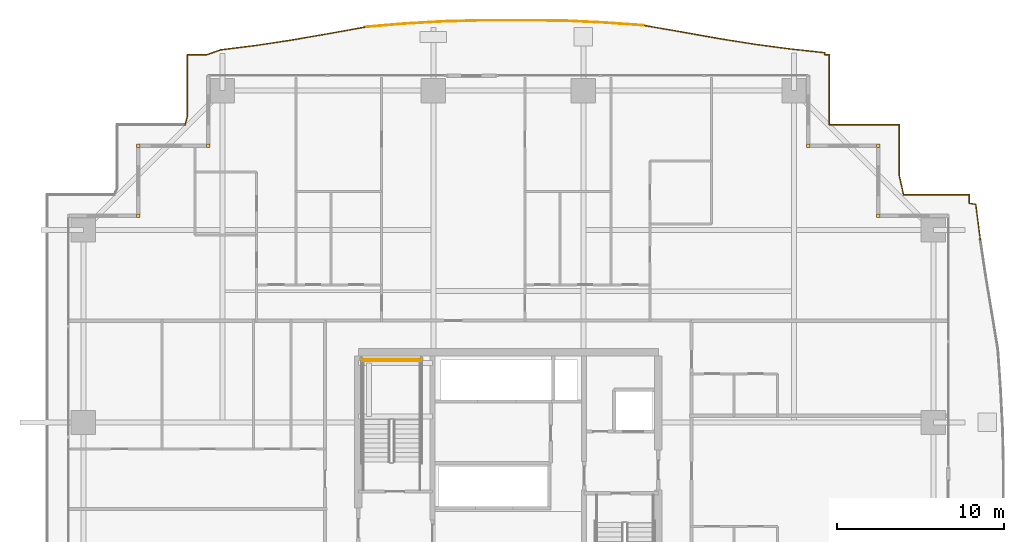
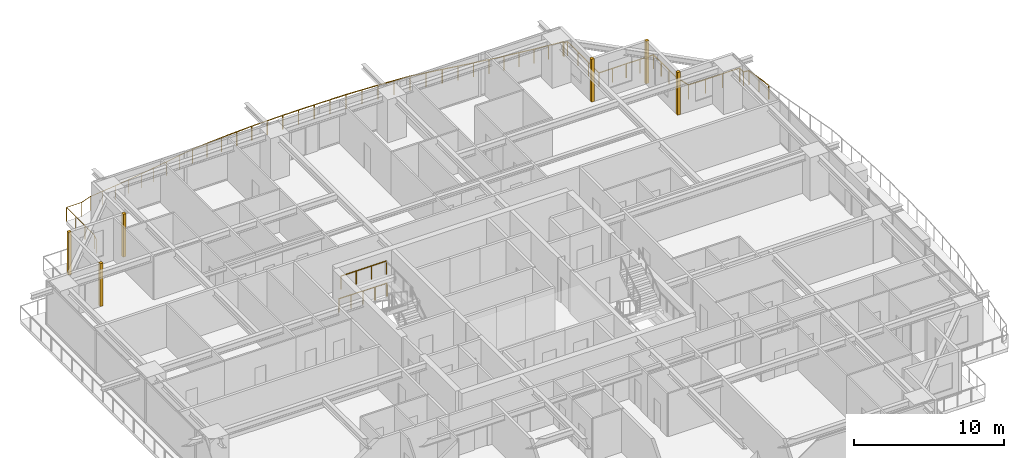
# One storey, part 38 of 38: 6 coverings, 6 railings.
"""IFC4 building model written with IfcOpenShell, lengths in metres."""

from ifc_helpers import new_model, si_unit, direction, frame, origin, origin_2d, place, context, subcontext, project, spatial, rectangle, circle, extrude, source, transform, mapped, material, layer, layer_set, type_object, element, save


model = new_model("IFC4")

# Units and contexts
model_context = context("Model", 3, precision=1e-05, world=origin(), true_north=direction((0.0, 1.0)))
body_context = subcontext(model_context, "Body", "Model", "MODEL_VIEW")
ifc_project = project(units=[si_unit("LENGTHUNIT", "METRE"), si_unit("AREAUNIT", "SQUARE_METRE"), si_unit("VOLUMEUNIT", "CUBIC_METRE"), si_unit("PLANEANGLEUNIT", "RADIAN"), si_unit("MASSUNIT", "GRAM", prefix="KILO")], contexts=[model_context])

# Site, building, storey
site_placement = place(None, origin())
site = spatial("IfcSite", under=ifc_project, at=site_placement, CompositionType="ELEMENT")
building_placement = place(site_placement, origin())
building = spatial("IfcBuilding", under=site, at=building_placement, Name="Serunith Strait Residences", CompositionType="ELEMENT")
storey_placement = place(building_placement, frame((0.0, 0.0, 67.949951171875)))
storey = spatial("IfcBuildingStorey", under=building, at=storey_placement, Name="L16", CompositionType="ELEMENT", Elevation=67.949951171875)

# Railings
ifc_material_1 = material(Name="Stainless Steel & Laminated Glass Balustrade", Category="steel")
railing_type_1 = type_object("IfcRailingType", Name="RLG-BALC-1150", PredefinedType="BALUSTRADE", material=ifc_material_1)
railing_1_placement = place(storey_placement, frame((13.003173828125, 47.260009765625, -0.050048828125)))
element("IfcRailing", 1, at=railing_1_placement, inside=storey, type_object=railing_type_1, Name="L16 Swirling Balcony Perimeter Balustrade 1", PredefinedType="BALUSTRADE", context=body_context, shape_type="SweptSolid", body=[
    extrude(circle(Radius=0.02392578125, at=origin_2d()), frame((0.00048828125, 0.001953125, 1.1259765625), z_axis=(0.257205232422, 0.966356801815, 0.0), x_axis=(-0.966356801815, 0.257205232422, 0.0)), (0.0, 0.0, 1.0), 0.527587890625),
    extrude(circle(Radius=0.02392578125, at=origin_2d()), frame((0.13671875, 0.515625, 1.1259765625), z_axis=(0.0, 1.0, 0.0), x_axis=(-1.0, 0.0, 0.0)), (0.0, 0.0, 1.0), 3.682373046875),
    extrude(circle(Radius=0.02392578125, at=origin_2d()), frame((0.138671875, 4.199951171875, 1.1259765625), z_axis=(1.0, 0.0, 0.0), x_axis=(0.0, 1.0, 0.0)), (0.0, 0.0, 1.0), 1.163818359375),
    extrude(circle(Radius=0.02392578125, at=origin_2d()), frame((1.306396484375, 4.20068359375, 1.1259765625), z_axis=(0.941856558235, 0.336015213509, 0.0), x_axis=(-0.336015213509, 0.941856558235, 0.0)), (0.0, 0.0, 1.0), 0.86279296875),
    extrude(circle(Radius=0.02392578125, at=origin_2d()), frame((2.122802734375, 4.491455078125, 1.1259765625), z_axis=(0.992212813988, 0.12455413184, 0.0), x_axis=(-0.12455413184, 0.992212813988, 0.0)), (0.0, 0.0, 1.0), 2.136474609375),
    extrude(circle(Radius=0.02392578125, at=origin_2d()), frame((4.24658203125, 4.758056640625, 1.1259765625), z_axis=(0.98866688906, 0.150125888763, 0.0), x_axis=(-0.150125888763, 0.98866688906, 0.0)), (0.0, 0.0, 1.0), 2.162109375),
    extrude(circle(Radius=0.02392578125, at=origin_2d()), frame((6.38818359375, 5.083251953125, 1.1259765625), z_axis=(0.985437141694, 0.17004011224, 0.0), x_axis=(-0.17004011224, 0.985437141694, 0.0)), (0.0, 0.0, 1.0), 2.20556640625),
    extrude(circle(Radius=0.02392578125, at=origin_2d()), frame((8.565673828125, 5.458984375, 1.1259765625), z_axis=(0.9841168506, 0.177521898271, 0.0), x_axis=(-0.177521898271, 0.9841168506, 0.0)), (0.0, 0.0, 1.0), 2.26513671875),
    extrude(circle(Radius=0.02099609375, at=origin_2d()), origin(), (0.0, 0.0, 1.0), 1.099853515625),
    extrude(circle(Radius=0.02099609375, at=origin_2d()), frame((0.13671875, 0.513671875, 0.0)), (0.0, 0.0, 1.0), 1.099853515625),
    extrude(circle(Radius=0.02099609375, at=origin_2d()), frame((0.13671875, 1.742431640625, 0.0)), (0.0, 0.0, 1.0), 1.099853515625),
    extrude(circle(Radius=0.02099609375, at=origin_2d()), frame((0.13671875, 2.97119140625, 0.0)), (0.0, 0.0, 1.0), 1.099853515625),
    extrude(circle(Radius=0.02099609375, at=origin_2d()), frame((0.13671875, 4.199951171875, 0.0)), (0.0, 0.0, 1.0), 1.099853515625),
    extrude(circle(Radius=0.02099609375, at=origin_2d()), frame((1.304443359375, 4.199951171875, 0.0)), (0.0, 0.0, 1.0), 1.099853515625),
    extrude(circle(Radius=0.02099609375, at=origin_2d()), frame((2.120849609375, 4.4912109375, 0.0)), (0.0, 0.0, 1.0), 1.099853515625),
    extrude(circle(Radius=0.02099609375, at=origin_2d()), frame((3.1826171875, 4.62451171875, 0.0)), (0.0, 0.0, 1.0), 1.099853515625),
    extrude(circle(Radius=0.02099609375, at=origin_2d()), frame((4.24462890625, 4.7578125, 0.0)), (0.0, 0.0, 1.0), 1.099853515625),
    extrude(circle(Radius=0.02099609375, at=origin_2d()), frame((5.3154296875, 4.92041015625, 0.0)), (0.0, 0.0, 1.0), 1.099853515625),
    extrude(circle(Radius=0.02099609375, at=origin_2d()), frame((6.38623046875, 5.0830078125, 0.0)), (0.0, 0.0, 1.0), 1.099853515625),
    extrude(circle(Radius=0.02099609375, at=origin_2d()), frame((7.47509765625, 5.27099609375, 0.0)), (0.0, 0.0, 1.0), 1.099853515625),
    extrude(circle(Radius=0.02099609375, at=origin_2d()), frame((8.563720703125, 5.458740234375, 0.0)), (0.0, 0.0, 1.0), 1.099853515625),
    extrude(circle(Radius=0.02099609375, at=origin_2d()), frame((9.68017578125, 5.66015625, 0.0)), (0.0, 0.0, 1.0), 1.099853515625),
    extrude(circle(Radius=0.02099609375, at=origin_2d()), frame((10.796875, 5.861572265625, 0.0)), (0.0, 0.0, 1.0), 1.099853515625),
])
railing_2_placement = place(storey_placement, frame((23.800048828125, 53.12158203125, -0.050048828125)))
element("IfcRailing", 2, at=railing_2_placement, inside=storey, type_object=railing_type_1, Name="L16 Swirling Balcony Perimeter Balustrade 2", PredefinedType="BALUSTRADE", context=body_context, shape_type="SweptSolid", body=[
    extrude(circle(Radius=0.02392578125, at=origin_2d()), frame((0.001953125, 0.000244140625, 1.1259765625), z_axis=(0.996365519216, 0.085180702735, 0.0), x_axis=(-0.085180702735, 0.996365519216, 0.0)), (0.0, 0.0, 1.0), 2.35205078125),
    extrude(circle(Radius=0.02392578125, at=origin_2d()), frame((2.349365234375, 0.20068359375, 1.1259765625), z_axis=(0.99840336502, 0.056486464892, 0.0), x_axis=(-0.056486464892, 0.99840336502, 0.0)), (0.0, 0.0, 1.0), 2.390380859375),
    extrude(circle(Radius=0.02392578125, at=origin_2d()), frame((4.739990234375, 0.3359375, 1.1259765625), z_axis=(0.999665766859, 0.025852554431, 0.0), x_axis=(-0.025852554431, 0.999665766859, 0.0)), (0.0, 0.0, 1.0), 2.41357421875),
    extrude(circle(Radius=0.02392578125, at=origin_2d()), frame((7.15673828125, 0.3984375, 1.1259765625), z_axis=(1.0, 0.0, 0.0), x_axis=(0.0, 1.0, 0.0)), (0.0, 0.0, 1.0), 2.424072265625),
    extrude(circle(Radius=0.02392578125, at=origin_2d()), frame((9.584716796875, 0.3984375, 1.1259765625), z_axis=(0.999956075296, -0.009372698549, 0.0), x_axis=(0.009372698549, 0.999956075296, 0.0)), (0.0, 0.0, 1.0), 2.41845703125),
    extrude(circle(Radius=0.02392578125, at=origin_2d()), frame((12.007080078125, 0.375732421875, 1.1259765625), z_axis=(0.998849675448, -0.047951286291, 0.0), x_axis=(0.047951286291, 0.998849675448, 0.0)), (0.0, 0.0, 1.0), 2.399169921875),
    extrude(circle(Radius=0.02392578125, at=origin_2d()), frame((14.407470703125, 0.26025390625, 1.1259765625), z_axis=(0.997583569256, -0.069476775614, 0.0), x_axis=(0.069476775614, 0.997583569256, 0.0)), (0.0, 0.0, 1.0), 2.367919921875),
    extrude(circle(Radius=0.02099609375, at=origin_2d()), origin(), (0.0, 0.0, 1.0), 1.099853515625),
    extrude(circle(Radius=0.02099609375, at=origin_2d()), frame((1.173828125, 0.100341796875, 0.0)), (0.0, 0.0, 1.0), 1.099853515625),
    extrude(circle(Radius=0.02099609375, at=origin_2d()), frame((2.347412109375, 0.20068359375, 0.0)), (0.0, 0.0, 1.0), 1.099853515625),
    extrude(circle(Radius=0.02099609375, at=origin_2d()), frame((3.542724609375, 0.268310546875, 0.0)), (0.0, 0.0, 1.0), 1.099853515625),
    extrude(circle(Radius=0.02099609375, at=origin_2d()), frame((4.738037109375, 0.3359375, 0.0)), (0.0, 0.0, 1.0), 1.099853515625),
    extrude(circle(Radius=0.02099609375, at=origin_2d()), frame((5.9462890625, 0.3671875, 0.0)), (0.0, 0.0, 1.0), 1.099853515625),
    extrude(circle(Radius=0.02099609375, at=origin_2d()), frame((7.15478515625, 0.3984375, 0.0)), (0.0, 0.0, 1.0), 1.099853515625),
    extrude(circle(Radius=0.02099609375, at=origin_2d()), frame((8.36865234375, 0.3984375, 0.0)), (0.0, 0.0, 1.0), 1.099853515625),
    extrude(circle(Radius=0.02099609375, at=origin_2d()), frame((9.582763671875, 0.3984375, 0.0)), (0.0, 0.0, 1.0), 1.099853515625),
    extrude(circle(Radius=0.02099609375, at=origin_2d()), frame((10.7939453125, 0.38720703125, 0.0)), (0.0, 0.0, 1.0), 1.099853515625),
    extrude(circle(Radius=0.02099609375, at=origin_2d()), frame((12.005126953125, 0.375732421875, 0.0)), (0.0, 0.0, 1.0), 1.099853515625),
    extrude(circle(Radius=0.02099609375, at=origin_2d()), frame((13.205322265625, 0.318115234375, 0.0)), (0.0, 0.0, 1.0), 1.099853515625),
    extrude(circle(Radius=0.02099609375, at=origin_2d()), frame((14.405517578125, 0.260498046875, 0.0)), (0.0, 0.0, 1.0), 1.099853515625),
    extrude(circle(Radius=0.02099609375, at=origin_2d()), frame((15.588623046875, 0.17822265625, 0.0)), (0.0, 0.0, 1.0), 1.099853515625),
    extrude(circle(Radius=0.02099609375, at=origin_2d()), frame((16.771728515625, 0.095703125, 0.0)), (0.0, 0.0, 1.0), 1.099853515625),
])
railing_3_placement = place(storey_placement, frame((40.57177734375, 53.21728515625, -0.050048828125)))
element("IfcRailing", 3, at=railing_3_placement, inside=storey, type_object=railing_type_1, Name="L16 Swirling Balcony Perimeter Balustrade 3", PredefinedType="BALUSTRADE", context=body_context, shape_type="SweptSolid", body=[
    extrude(circle(Radius=0.02392578125, at=origin_2d()), frame((0.001953125, -0.000244140625, 1.1259765625), z_axis=(0.98533531934, -0.17062915478, 0.0), x_axis=(0.17062915478, 0.98533531934, 0.0)), (0.0, 0.0, 1.0), 2.282470703125),
    extrude(circle(Radius=0.02392578125, at=origin_2d()), frame((2.2548828125, -0.390380859375, 1.1259765625), z_axis=(0.984527967955, -0.175227510152, 0.0), x_axis=(0.175227510152, 0.984527967955, 0.0)), (0.0, 0.0, 1.0), 2.216796875),
    extrude(circle(Radius=0.02392578125, at=origin_2d()), frame((4.44140625, -0.779541015625, 1.1259765625), z_axis=(0.987512055173, -0.157543457141, 0.0), x_axis=(0.157543457141, 0.987512055173, 0.0)), (0.0, 0.0, 1.0), 2.168701171875),
    extrude(circle(Radius=0.02392578125, at=origin_2d()), frame((6.5869140625, -1.121826171875, 1.1259765625), z_axis=(0.991151111695, -0.132738365918, 0.0), x_axis=(0.132738365918, 0.991151111695, 0.0)), (0.0, 0.0, 1.0), 2.138671875),
    extrude(circle(Radius=0.02392578125, at=origin_2d()), frame((8.710693359375, -1.40625, 1.1259765625), z_axis=(0.994332558909, -0.10631445007, 0.0), x_axis=(0.10631445007, 0.994332558909, 0.0)), (0.0, 0.0, 1.0), 2.124755859375),
    extrude(circle(Radius=0.02392578125, at=origin_2d()), frame((10.825439453125, -1.63427734375, 1.1259765625), z_axis=(-0.009765159372, -0.999952319695, 0.0), x_axis=(0.999952319695, -0.009765159372, 0.0)), (0.0, 0.0, 1.0), 0.12109375),
    extrude(circle(Radius=0.02392578125, at=origin_2d()), frame((10.826171875, -1.75732421875, 1.1259765625), z_axis=(1.0, 0.0, 0.0), x_axis=(0.0, 1.0, 0.0)), (0.0, 0.0, 1.0), 0.260009765625),
    extrude(circle(Radius=0.02392578125, at=origin_2d()), frame((11.088134765625, -1.75927734375, 1.1259765625), z_axis=(0.0, -1.0, 0.0), x_axis=(1.0, 0.0, 0.0)), (0.0, 0.0, 1.0), 4.196044921875),
    extrude(circle(Radius=0.02099609375, at=origin_2d()), origin(), (0.0, 0.0, 1.0), 1.099853515625),
    extrude(circle(Radius=0.02099609375, at=origin_2d()), frame((1.12646484375, -0.195068359375, 0.0)), (0.0, 0.0, 1.0), 1.099853515625),
    extrude(circle(Radius=0.02099609375, at=origin_2d()), frame((2.2529296875, -0.39013671875, 0.0)), (0.0, 0.0, 1.0), 1.099853515625),
    extrude(circle(Radius=0.02099609375, at=origin_2d()), frame((3.34619140625, -0.584716796875, 0.0)), (0.0, 0.0, 1.0), 1.099853515625),
    extrude(circle(Radius=0.02099609375, at=origin_2d()), frame((4.439453125, -0.779296875, 0.0)), (0.0, 0.0, 1.0), 1.099853515625),
    extrude(circle(Radius=0.02099609375, at=origin_2d()), frame((5.51220703125, -0.950439453125, 0.0)), (0.0, 0.0, 1.0), 1.099853515625),
    extrude(circle(Radius=0.02099609375, at=origin_2d()), frame((6.5849609375, -1.12158203125, 0.0)), (0.0, 0.0, 1.0), 1.099853515625),
    extrude(circle(Radius=0.02099609375, at=origin_2d()), frame((7.64697265625, -1.263671875, 0.0)), (0.0, 0.0, 1.0), 1.099853515625),
    extrude(circle(Radius=0.02099609375, at=origin_2d()), frame((8.708740234375, -1.406005859375, 0.0)), (0.0, 0.0, 1.0), 1.099853515625),
    extrude(circle(Radius=0.02099609375, at=origin_2d()), frame((9.76708984375, -1.51904296875, 0.0)), (0.0, 0.0, 1.0), 1.099853515625),
    extrude(circle(Radius=0.02099609375, at=origin_2d()), frame((10.825439453125, -1.63232421875, 0.0)), (0.0, 0.0, 1.0), 1.099853515625),
    extrude(circle(Radius=0.02099609375, at=origin_2d()), frame((10.82421875, -1.75732421875, 0.0)), (0.0, 0.0, 1.0), 1.099853515625),
    extrude(circle(Radius=0.02099609375, at=origin_2d()), frame((11.088134765625, -1.75732421875, 0.0)), (0.0, 0.0, 1.0), 1.099853515625),
    extrude(circle(Radius=0.02099609375, at=origin_2d()), frame((11.088134765625, -3.1572265625, 0.0)), (0.0, 0.0, 1.0), 1.099853515625),
    extrude(circle(Radius=0.02099609375, at=origin_2d()), frame((11.088134765625, -4.557373046875, 0.0)), (0.0, 0.0, 1.0), 1.099853515625),
    extrude(circle(Radius=0.02099609375, at=origin_2d()), frame((11.088134765625, -5.957275390625, 0.0)), (0.0, 0.0, 1.0), 1.099853515625),
])
railing_4_placement = place(storey_placement, frame((51.659912109375, 47.260009765625, -0.050048828125)))
element("IfcRailing", 4, at=railing_4_placement, inside=storey, type_object=railing_type_1, Name="L16 Swirling Balcony Perimeter Balustrade 4", PredefinedType="BALUSTRADE", context=body_context, shape_type="SweptSolid", body=[
    extrude(circle(Radius=0.02392578125, at=origin_2d()), frame((0.001953125, 0.0, 1.1259765625), z_axis=(1.0, 0.0, 0.0), x_axis=(0.0, 1.0, 0.0)), (0.0, 0.0, 1.0), 4.1962890625),
    extrude(circle(Radius=0.02392578125, at=origin_2d()), frame((4.2001953125, -0.001953125, 1.1259765625), z_axis=(0.0, -1.0, 0.0), x_axis=(1.0, 0.0, 0.0)), (0.0, 0.0, 1.0), 3.05078125),
    extrude(circle(Radius=0.02392578125, at=origin_2d()), frame((4.20068359375, -3.056640625, 1.1259765625), z_axis=(0.221791802571, -0.975094044855, 0.0), x_axis=(0.975094044855, 0.221791802571, 0.0)), (0.0, 0.0, 1.0), 1.17041015625),
    extrude(circle(Radius=0.02392578125, at=origin_2d()), frame((4.462646484375, -4.199951171875, 1.1259765625), z_axis=(1.0, 0.0, 0.0), x_axis=(0.0, 1.0, 0.0)), (0.0, 0.0, 1.0), 3.935546875),
    extrude(circle(Radius=0.02392578125, at=origin_2d()), frame((8.400146484375, -4.201904296875, 1.1259765625), z_axis=(0.0, -1.0, 0.0), x_axis=(1.0, 0.0, 0.0)), (0.0, 0.0, 1.0), 0.508544921875),
    extrude(circle(Radius=0.02392578125, at=origin_2d()), frame((8.402099609375, -4.712646484375, 1.1259765625), z_axis=(0.987213015975, -0.159406590485, 0.0), x_axis=(0.159406590485, 0.987213015975, 0.0)), (0.0, 0.0, 1.0), 0.392578125),
    extrude(circle(Radius=0.02392578125, at=origin_2d()), frame((8.7919921875, -4.777587890625, 1.1259765625), z_axis=(0.127365123527, -0.991855899468, 0.0), x_axis=(0.991855899468, 0.127365123527, 0.0)), (0.0, 0.0, 1.0), 2.142822265625),
    extrude(circle(Radius=0.02099609375, at=origin_2d()), origin(), (0.0, 0.0, 1.0), 1.099853515625),
    extrude(circle(Radius=0.02099609375, at=origin_2d()), frame((1.050048828125, 0.0, 0.0)), (0.0, 0.0, 1.0), 1.099853515625),
    extrude(circle(Radius=0.02099609375, at=origin_2d()), frame((2.10009765625, 0.0, 0.0)), (0.0, 0.0, 1.0), 1.099853515625),
    extrude(circle(Radius=0.02099609375, at=origin_2d()), frame((3.150146484375, 0.0, 0.0)), (0.0, 0.0, 1.0), 1.099853515625),
    extrude(circle(Radius=0.02099609375, at=origin_2d()), frame((4.2001953125, 0.0, 0.0)), (0.0, 0.0, 1.0), 1.099853515625),
    extrude(circle(Radius=0.02099609375, at=origin_2d()), frame((4.2001953125, -1.018310546875, 0.0)), (0.0, 0.0, 1.0), 1.099853515625),
    extrude(circle(Radius=0.02099609375, at=origin_2d()), frame((4.2001953125, -2.036376953125, 0.0)), (0.0, 0.0, 1.0), 1.099853515625),
    extrude(circle(Radius=0.02099609375, at=origin_2d()), frame((4.2001953125, -3.0546875, 0.0)), (0.0, 0.0, 1.0), 1.099853515625),
    extrude(circle(Radius=0.02099609375, at=origin_2d()), frame((4.460693359375, -4.199951171875, 0.0)), (0.0, 0.0, 1.0), 1.099853515625),
    extrude(circle(Radius=0.02099609375, at=origin_2d()), frame((5.77392578125, -4.199951171875, 0.0)), (0.0, 0.0, 1.0), 1.099853515625),
    extrude(circle(Radius=0.02099609375, at=origin_2d()), frame((7.0869140625, -4.199951171875, 0.0)), (0.0, 0.0, 1.0), 1.099853515625),
    extrude(circle(Radius=0.02099609375, at=origin_2d()), frame((8.400146484375, -4.199951171875, 0.0)), (0.0, 0.0, 1.0), 1.099853515625),
    extrude(circle(Radius=0.02099609375, at=origin_2d()), frame((8.400146484375, -4.71240234375, 0.0)), (0.0, 0.0, 1.0), 1.099853515625),
    extrude(circle(Radius=0.02099609375, at=origin_2d()), frame((8.791748046875, -4.775634765625, 0.0)), (0.0, 0.0, 1.0), 1.099853515625),
    extrude(circle(Radius=0.02099609375, at=origin_2d()), frame((8.928466796875, -5.84033203125, 0.0)), (0.0, 0.0, 1.0), 1.099853515625),
    extrude(circle(Radius=0.02099609375, at=origin_2d()), frame((9.065185546875, -6.905029296875, 0.0)), (0.0, 0.0, 1.0), 1.099853515625),
])
ifc_material_2 = material(Name="Brushed stainless steel 316L", Category="steel")
railing_type_2 = type_object("IfcRailingType", Name="RLG-STAIR-GUARD", PredefinedType="BALUSTRADE", material=ifc_material_2)
railing_5_placement = place(storey_placement, frame((27.14990234375, 33.10009765625, 1.875)))
element("IfcRailing", 5, at=railing_5_placement, inside=storey, type_object=railing_type_2, Name="L16 ST-1 stair guard 5", PredefinedType="BALUSTRADE", context=body_context, shape_type="SweptSolid", body=[
    extrude(circle(Radius=0.02392578125, at=origin_2d()), frame((-0.001953125, 0.0, 1.076171875), z_axis=(-1.0, 0.0, 0.0), x_axis=(0.0, -1.0, 0.0)), (0.0, 0.0, 1.0), 3.49609375),
    extrude(circle(Radius=0.02099609375, at=origin_2d()), origin(), (0.0, 0.0, 1.0), 1.050048828125),
    extrude(circle(Radius=0.02099609375, at=origin_2d()), frame((-1.166748046875, 0.0, 0.0)), (0.0, 0.0, 1.0), 1.050048828125),
    extrude(circle(Radius=0.02099609375, at=origin_2d()), frame((-2.333251953125, 0.0, 0.0)), (0.0, 0.0, 1.0), 1.050048828125),
    extrude(circle(Radius=0.02099609375, at=origin_2d()), frame((-3.5, 0.0, 0.0)), (0.0, 0.0, 1.0), 1.050048828125),
])
railing_6_placement = place(storey_placement, frame((27.25, 33.199951171875, 0.0)))
element("IfcRailing", 6, at=railing_6_placement, inside=storey, type_object=railing_type_2, Name="L16 ST-1 stair guard 12", PredefinedType="BALUSTRADE", context=body_context, shape_type="SweptSolid", body=[
    extrude(circle(Radius=0.02392578125, at=origin_2d()), frame((-0.001953125, 0.0, 1.076171875), z_axis=(-1.0, 0.0, 0.0), x_axis=(0.0, -1.0, 0.0)), (0.0, 0.0, 1.0), 3.696044921875),
    extrude(circle(Radius=0.02099609375, at=origin_2d()), origin(), (0.0, 0.0, 1.0), 1.050048828125),
    extrude(circle(Radius=0.02099609375, at=origin_2d()), frame((-0.925048828125, 0.0, 0.0)), (0.0, 0.0, 1.0), 1.050048828125),
    extrude(circle(Radius=0.02099609375, at=origin_2d()), frame((-1.85009765625, 0.0, 0.0)), (0.0, 0.0, 1.0), 1.050048828125),
    extrude(circle(Radius=0.02099609375, at=origin_2d()), frame((-2.77490234375, 0.0, 0.0)), (0.0, 0.0, 1.0), 1.050048828125),
    extrude(circle(Radius=0.02099609375, at=origin_2d()), frame((-3.699951171875, 0.0, 0.0)), (0.0, 0.0, 1.0), 1.050048828125),
])

# Coverings
ifc_material_3 = material(Name="Pale-Champagne Anodised Aluminium", Category="aluminium")
ifc_layer = layer(ifc_material_3, 0.219970703125, Name="Pale-Champagne Anodised Aluminium")
ifc_layer_set = layer_set([ifc_layer], Name="Pale-Champagne Anodised Aluminium")
covering_type = type_object("IfcCoveringType", Name="COV-CORN-TRIM", PredefinedType="CLADDING", material=ifc_layer_set)
shared_shape = source(origin(), body_context, "Body", "SweptSolid", [
    extrude(rectangle(XDim=0.221923828125, YDim=0.221923828125, at=origin_2d()), origin(), (0.0, 0.0, 1.0), 3.47509765625),
])
for number, where, z_axis, x_axis, name in (
    (7, (54.60009765625, 41.800048828125, 0.0), (0.0, 0.0, 1.0), (1.0, 0.0, 0.0), "L16 Girih Serrated Corner Trim Post 07"),
    (8, (54.60009765625, 46.0, 0.0), (0.0, 0.0, 1.0), (1.0, 0.0, 0.0), "L16 Girih Serrated Corner Trim Post 08"),
    (9, (50.39990234375, 46.0, 0.0), (0.0, 0.0, 1.0), (1.0, 0.0, 0.0), "L16 Girih Serrated Corner Trim Post 09"),
    (10, (14.39990234375, 46.0, 0.0), (0.0, 0.0, 1.0), (1.0, 0.0, 0.0), "L16 Girih Serrated Corner Trim Post 12"),
    (11, (10.199951171875, 46.0, 0.0), (0.0, 0.0, 1.0), (1.0, 0.0, 0.0), "L16 Girih Serrated Corner Trim Post 13"),
    (12, (10.199951171875, 41.800048828125, 0.0), (0.0, 0.0, 1.0), (1.0, 0.0, 0.0), "L16 Girih Serrated Corner Trim Post 14"),
):
    element("IfcCovering", number, at=place(storey_placement, frame(where, z_axis=z_axis, x_axis=x_axis)), inside=storey, type_object=covering_type, Name=name, PredefinedType="CLADDING", context=body_context, shape_type="MappedRepresentation", body=[
        mapped(shared_shape, transform((0.0, 0.0, 0.0), scale=1.0)),
    ])

save(model, "model.ifc")
